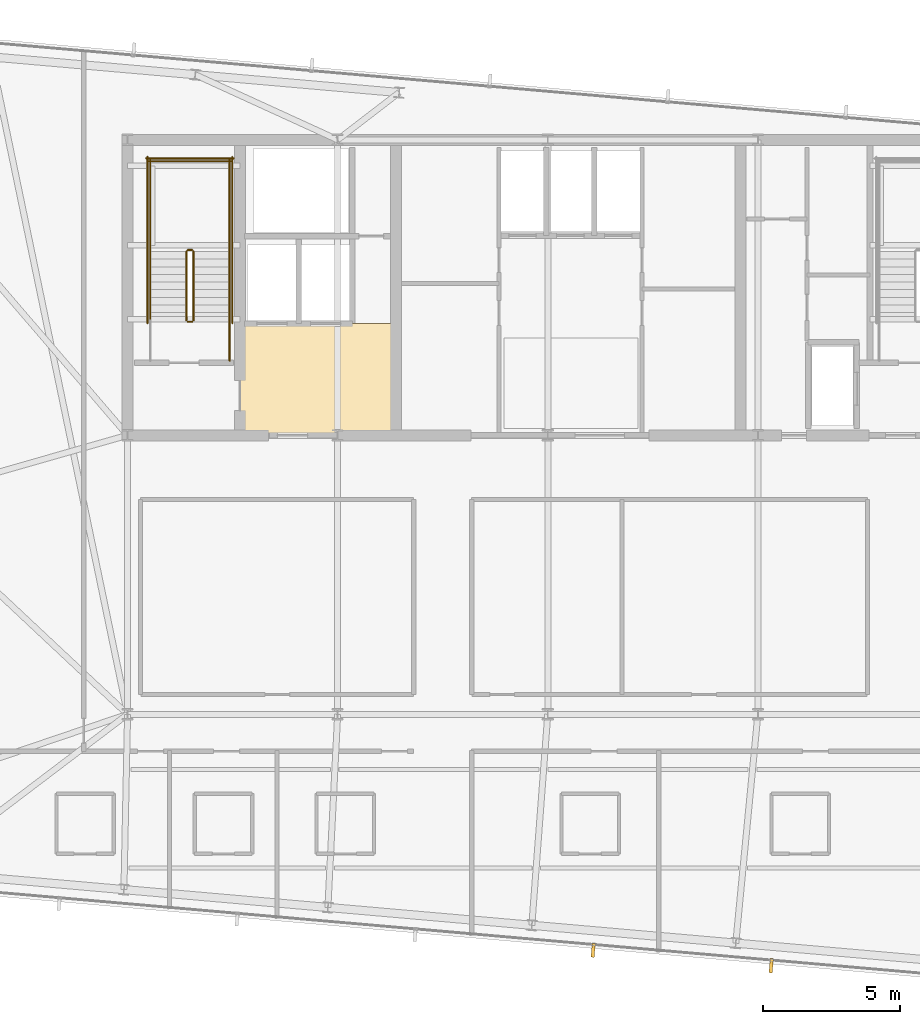
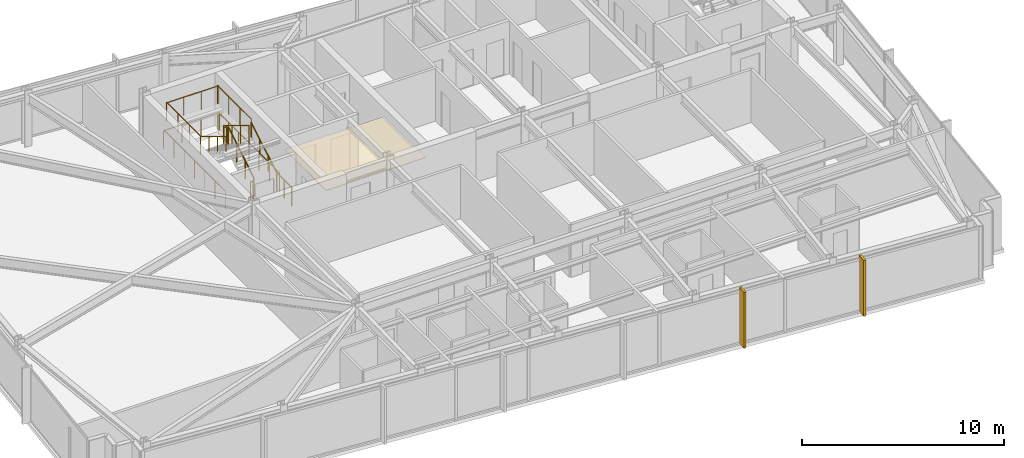
# One storey, part 31 of 33: 13 railings, 2 shading devices, 1 covering.
"""IFC4 building model written with IfcOpenShell, lengths in metres."""

from ifc_helpers import new_model, si_unit, direction, frame, origin, origin_2d, place, context, subcontext, project, spatial, polyline, rectangle, circle, outline, extrude, material, layer, layer_set, type_object, element, save


model = new_model("IFC4")

# Units and contexts
model_context = context("Model", 3, precision=1e-05, world=origin(), true_north=direction((0.0, 1.0)))
body_context = subcontext(model_context, "Body", "Model", "MODEL_VIEW")
ifc_project = project(units=[si_unit("LENGTHUNIT", "METRE"), si_unit("AREAUNIT", "SQUARE_METRE"), si_unit("VOLUMEUNIT", "CUBIC_METRE"), si_unit("PLANEANGLEUNIT", "RADIAN"), si_unit("MASSUNIT", "GRAM", prefix="KILO")], contexts=[model_context])

# Site, building, storey
site_placement = place(None, origin())
site = spatial("IfcSite", under=ifc_project, at=site_placement, CompositionType="ELEMENT")
building_placement = place(site_placement, origin())
building = spatial("IfcBuilding", under=site, at=building_placement, Name="Yelkora Congress Tower", CompositionType="ELEMENT")
storey_placement = place(building_placement, frame((0.0, 0.0, 282.89990234375)))
storey = spatial("IfcBuildingStorey", under=building, at=storey_placement, Name="L79", CompositionType="ELEMENT", Elevation=282.89990234375)

# Covering
ifc_material_1 = material(Name="Perforated mineral-fibre acoustic ceiling", Category="gypsum")
ifc_layer_1 = layer(ifc_material_1, 0.0400390625)
ifc_layer_set_1 = layer_set([ifc_layer_1], Name="Perforated mineral-fibre acoustic ceiling")
covering_type = type_object("IfcCoveringType", Name="COV-CEIL-ACOUSTIC-40", PredefinedType="CEILING", material=ifc_layer_set_1)
covering_placement = place(storey_placement, frame((0.0, 0.0, 2.400146484375)))
element("IfcCovering", 1, at=covering_placement, inside=storey, type_object=covering_type, Name="L79 Firefighting Lobby Acoustic Ceiling", PredefinedType="CEILING", context=body_context, shape_type="SweptSolid", body=[
    extrude(outline(polyline([(27.14990234375, 35.39990234375), (32.85009765625, 35.39990234375), (32.85009765625, 39.47998046875), (27.14990234375, 39.47998046875), (27.14990234375, 35.39990234375)])), origin(), (0.0, 0.0, 1.0), 0.0400390625),
])

# Railings
ifc_material_2 = material(Name="Painted galvanised steel stair well guard with vertical infill", Category="steel")
ifc_layer_2 = layer(ifc_material_2, 0.06005859375)
ifc_layer_set_2 = layer_set([ifc_layer_2], Name="Painted galvanised steel stair well guard with vertical infill")
railing_type_1 = type_object("IfcRailingType", Name="RAIL-STAIR-GUARD-1120", PredefinedType="GUARDRAIL", material=ifc_layer_set_2)
railing_1_placement = place(storey_placement, frame((25.449951171875, 39.60009765625, 0.170166015625)))
element("IfcRailing", 2, at=railing_1_placement, inside=storey, type_object=railing_type_1, Name="ST-01 L79 Stair Well Guardrail 1", PredefinedType="GUARDRAIL", context=body_context, shape_type="SweptSolid", body=[
    extrude(circle(Radius=0.02392578125, at=origin_2d()), frame((0.0, 0.0, 1.09619140625), z_axis=(0.0, 0.85478489116, 0.518982456201), x_axis=(-1.0, 0.0, 0.0)), (0.0, 0.0, 1.0), 2.9482421875),
    extrude(circle(Radius=0.02099609375, at=origin_2d()), origin(), (0.0, 0.0, 1.0), 1.072021484375),
    extrude(circle(Radius=0.02099609375, at=origin_2d()), frame((0.0, 0.840087890625, 0.510009765625)), (0.0, 0.0, 1.0), 1.072021484375),
    extrude(circle(Radius=0.02099609375, at=origin_2d()), frame((0.0, 1.679931640625, 1.02001953125)), (0.0, 0.0, 1.0), 1.072021484375),
    extrude(circle(Radius=0.02099609375, at=origin_2d()), frame((0.0, 2.52001953125, 1.530029296875)), (0.0, 0.0, 1.0), 1.072021484375),
])
railing_2_placement = place(storey_placement, frame((25.39990234375, 42.169921875, 1.7001953125)))
element("IfcRailing", 3, at=railing_2_placement, inside=storey, type_object=railing_type_1, Name="ST-01 L79 Stair Well Guardrail 2", PredefinedType="GUARDRAIL", context=body_context, shape_type="SweptSolid", body=[
    extrude(circle(Radius=0.02392578125, at=origin_2d()), frame((0.0, 0.0, 1.09619140625), z_axis=(-1.0, 0.0, 0.0), x_axis=(0.0, -1.0, 0.0)), (0.0, 0.0, 1.0), 0.159912109375),
    extrude(circle(Radius=0.02099609375, at=origin_2d()), origin(), (0.0, 0.0, 1.0), 1.072021484375),
    extrude(circle(Radius=0.02099609375, at=origin_2d()), frame((-0.159912109375, 0.0, 0.0)), (0.0, 0.0, 1.0), 1.072021484375),
])
for number, where, name in (
    (4, (26.77001953125, 42.1201171875, 1.7001953125), "ST-01 L79 Stair Well Guardrail 3"),
    (5, (23.8701171875, 42.1201171875, 1.7001953125), "ST-01 L79 Stair Well Guardrail 4"),
):
    element("IfcRailing", number, at=place(storey_placement, frame(where)), inside=storey, type_object=railing_type_1, Name=name, PredefinedType="GUARDRAIL", context=body_context, shape_type="SweptSolid", body=[
        extrude(circle(Radius=0.02392578125, at=origin_2d()), frame((0.0, 0.0, 1.09619140625), z_axis=(0.0, 1.0, 0.0), x_axis=(-1.0, 0.0, 0.0)), (0.0, 0.0, 1.0), 3.349853515625),
        extrude(circle(Radius=0.02099609375, at=origin_2d()), origin(), (0.0, 0.0, 1.0), 1.072021484375),
        extrude(circle(Radius=0.02099609375, at=origin_2d()), frame((0.0, 1.11669921875, 0.0)), (0.0, 0.0, 1.0), 1.072021484375),
        extrude(circle(Radius=0.02099609375, at=origin_2d()), frame((0.0, 2.233154296875, 0.0)), (0.0, 0.0, 1.0), 1.072021484375),
        extrude(circle(Radius=0.02099609375, at=origin_2d()), frame((0.0, 3.349853515625, 0.0)), (0.0, 0.0, 1.0), 1.072021484375),
    ])
railing_3_placement = place(storey_placement, frame((26.820068359375, 45.419921875, 1.7001953125)))
element("IfcRailing", 6, at=railing_3_placement, inside=storey, type_object=railing_type_1, Name="ST-01 L79 Stair Well Guardrail 5", PredefinedType="GUARDRAIL", context=body_context, shape_type="SweptSolid", body=[
    extrude(circle(Radius=0.02392578125, at=origin_2d()), frame((0.0, 0.0, 1.09619140625), z_axis=(-1.0, 0.0, 0.0), x_axis=(0.0, -1.0, 0.0)), (0.0, 0.0, 1.0), 3.0),
    extrude(circle(Radius=0.02099609375, at=origin_2d()), origin(), (0.0, 0.0, 1.0), 1.072021484375),
    extrude(circle(Radius=0.02099609375, at=origin_2d()), frame((-1.0, 0.0, 0.0)), (0.0, 0.0, 1.0), 1.072021484375),
    extrude(circle(Radius=0.02099609375, at=origin_2d()), frame((-2.0, 0.0, 0.0)), (0.0, 0.0, 1.0), 1.072021484375),
    extrude(circle(Radius=0.02099609375, at=origin_2d()), frame((-3.0, 0.0, 0.0)), (0.0, 0.0, 1.0), 1.072021484375),
])
railing_4_placement = place(storey_placement, frame((25.18994140625, 42.1201171875, 1.8701171875)))
element("IfcRailing", 7, at=railing_4_placement, inside=storey, type_object=railing_type_1, Name="ST-01 L79 Stair Well Guardrail 6", PredefinedType="GUARDRAIL", context=body_context, shape_type="SweptSolid", body=[
    extrude(circle(Radius=0.02392578125, at=origin_2d()), frame((0.0, 0.0, 1.09619140625), z_axis=(0.0, -0.85478489116, 0.518982456201), x_axis=(1.0, 0.0, 0.0)), (0.0, 0.0, 1.0), 2.9482421875),
    extrude(circle(Radius=0.02099609375, at=origin_2d()), origin(), (0.0, 0.0, 1.0), 1.072021484375),
    extrude(circle(Radius=0.02099609375, at=origin_2d()), frame((0.0, -0.840087890625, 0.510009765625)), (0.0, 0.0, 1.0), 1.072021484375),
    extrude(circle(Radius=0.02099609375, at=origin_2d()), frame((0.0, -1.679931640625, 1.02001953125)), (0.0, 0.0, 1.0), 1.072021484375),
    extrude(circle(Radius=0.02099609375, at=origin_2d()), frame((0.0, -2.52001953125, 1.530029296875)), (0.0, 0.0, 1.0), 1.072021484375),
])
railing_5_placement = place(storey_placement, frame((25.39990234375, 39.550048828125, 0.0)))
element("IfcRailing", 8, at=railing_5_placement, inside=storey, type_object=railing_type_1, Name="ST-01 L79 Stair Well Guardrail 7", PredefinedType="GUARDRAIL", context=body_context, shape_type="SweptSolid", body=[
    extrude(circle(Radius=0.02392578125, at=origin_2d()), frame((0.0, 0.0, 1.09619140625), z_axis=(-1.0, 0.0, 0.0), x_axis=(0.0, -1.0, 0.0)), (0.0, 0.0, 1.0), 0.159912109375),
    extrude(circle(Radius=0.02099609375, at=origin_2d()), origin(), (0.0, 0.0, 1.0), 1.072021484375),
    extrude(circle(Radius=0.02099609375, at=origin_2d()), frame((-0.159912109375, 0.0, 0.0)), (0.0, 0.0, 1.0), 1.072021484375),
])
railing_6_placement = place(storey_placement, frame((26.77001953125, 38.1201171875, 0.0)))
element("IfcRailing", 9, at=railing_6_placement, inside=storey, type_object=railing_type_1, Name="ST-01 L79 Stair Well Guardrail 8", PredefinedType="GUARDRAIL", context=body_context, shape_type="SweptSolid", body=[
    extrude(circle(Radius=0.02392578125, at=origin_2d()), frame((0.0, 0.0, 1.09619140625), z_axis=(0.0, 1.0, 0.0), x_axis=(-1.0, 0.0, 0.0)), (0.0, 0.0, 1.0), 1.47998046875),
    extrude(circle(Radius=0.02099609375, at=origin_2d()), origin(), (0.0, 0.0, 1.0), 1.072021484375),
    extrude(circle(Radius=0.02099609375, at=origin_2d()), frame((0.0, 0.739990234375, 0.0)), (0.0, 0.0, 1.0), 1.072021484375),
    extrude(circle(Radius=0.02099609375, at=origin_2d()), frame((0.0, 1.47998046875, 0.0)), (0.0, 0.0, 1.0), 1.072021484375),
])
for number, where, name in (
    (10, (26.8701171875, 39.5, 0.0), "ST-01 L79 Stair Well Guardrail 10"),
    (11, (23.77001953125, 39.5, 0.0), "ST-01 L79 Stair Well Guardrail 11"),
):
    element("IfcRailing", number, at=place(storey_placement, frame(where)), inside=storey, type_object=railing_type_1, Name=name, PredefinedType="GUARDRAIL", context=body_context, shape_type="SweptSolid", body=[
        extrude(circle(Radius=0.02392578125, at=origin_2d()), frame((0.0, 0.0, 1.09619140625), z_axis=(0.0, 1.0, 0.0), x_axis=(-1.0, 0.0, 0.0)), (0.0, 0.0, 1.0), 6.070068359375),
        extrude(circle(Radius=0.02099609375, at=origin_2d()), origin(), (0.0, 0.0, 1.0), 1.072021484375),
        extrude(circle(Radius=0.02099609375, at=origin_2d()), frame((0.0, 1.01171875, 0.0)), (0.0, 0.0, 1.0), 1.072021484375),
        extrude(circle(Radius=0.02099609375, at=origin_2d()), frame((0.0, 2.0234375, 0.0)), (0.0, 0.0, 1.0), 1.072021484375),
        extrude(circle(Radius=0.02099609375, at=origin_2d()), frame((0.0, 3.03515625, 0.0)), (0.0, 0.0, 1.0), 1.072021484375),
        extrude(circle(Radius=0.02099609375, at=origin_2d()), frame((0.0, 4.046630859375, 0.0)), (0.0, 0.0, 1.0), 1.072021484375),
        extrude(circle(Radius=0.02099609375, at=origin_2d()), frame((0.0, 5.058349609375, 0.0)), (0.0, 0.0, 1.0), 1.072021484375),
        extrude(circle(Radius=0.02099609375, at=origin_2d()), frame((0.0, 6.070068359375, 0.0)), (0.0, 0.0, 1.0), 1.072021484375),
    ])
railing_7_placement = place(storey_placement, frame((26.919921875, 45.52001953125, 0.0)))
element("IfcRailing", 12, at=railing_7_placement, inside=storey, type_object=railing_type_1, Name="ST-01 L79 Stair Well Guardrail 12", PredefinedType="GUARDRAIL", context=body_context, shape_type="SweptSolid", body=[
    extrude(circle(Radius=0.02392578125, at=origin_2d()), frame((0.0, 0.0, 1.09619140625), z_axis=(-1.0, 0.0, 0.0), x_axis=(0.0, -1.0, 0.0)), (0.0, 0.0, 1.0), 3.199951171875),
    extrude(circle(Radius=0.02099609375, at=origin_2d()), origin(), (0.0, 0.0, 1.0), 1.072021484375),
    extrude(circle(Radius=0.02099609375, at=origin_2d()), frame((-1.066650390625, 0.0, 0.0)), (0.0, 0.0, 1.0), 1.072021484375),
    extrude(circle(Radius=0.02099609375, at=origin_2d()), frame((-2.13330078125, 0.0, 0.0)), (0.0, 0.0, 1.0), 1.072021484375),
    extrude(circle(Radius=0.02099609375, at=origin_2d()), frame((-3.199951171875, 0.0, 0.0)), (0.0, 0.0, 1.0), 1.072021484375),
])
ifc_material_3 = material(Name="Brushed stainless steel tubular handrail", Category="steel")
ifc_layer_3 = layer(ifc_material_3, 0.050048828125)
ifc_layer_set_3 = layer_set([ifc_layer_3], Name="Brushed stainless steel tubular handrail")
railing_type_2 = type_object("IfcRailingType", Name="RAIL-STAIR-HAND-920", PredefinedType="HANDRAIL", material=ifc_layer_set_3)
railing_8_placement = place(storey_placement, frame((26.77001953125, 39.60009765625, 0.170166015625)))
element("IfcRailing", 13, at=railing_8_placement, inside=storey, type_object=railing_type_2, Name="ST-01 L79 Pitch Handrail 1", PredefinedType="HANDRAIL", context=body_context, shape_type="SweptSolid", body=[
    extrude(circle(Radius=0.02392578125, at=origin_2d()), frame((0.0, 0.0, 0.89599609375), z_axis=(0.0, 0.85478489116, 0.518982456201), x_axis=(-1.0, 0.0, 0.0)), (0.0, 0.0, 1.0), 2.9482421875),
    extrude(circle(Radius=0.02099609375, at=origin_2d()), origin(), (0.0, 0.0, 1.0), 0.871826171875),
    extrude(circle(Radius=0.02099609375, at=origin_2d()), frame((0.0, 0.840087890625, 0.510009765625)), (0.0, 0.0, 1.0), 0.871826171875),
    extrude(circle(Radius=0.02099609375, at=origin_2d()), frame((0.0, 1.679931640625, 1.02001953125)), (0.0, 0.0, 1.0), 0.871826171875),
    extrude(circle(Radius=0.02099609375, at=origin_2d()), frame((0.0, 2.52001953125, 1.530029296875)), (0.0, 0.0, 1.0), 0.871826171875),
])
railing_9_placement = place(storey_placement, frame((23.8701171875, 42.1201171875, 1.8701171875)))
element("IfcRailing", 14, at=railing_9_placement, inside=storey, type_object=railing_type_2, Name="ST-01 L79 Pitch Handrail 2", PredefinedType="HANDRAIL", context=body_context, shape_type="SweptSolid", body=[
    extrude(circle(Radius=0.02392578125, at=origin_2d()), frame((0.0, 0.0, 0.89599609375), z_axis=(0.0, -0.85478489116, 0.518982456201), x_axis=(1.0, 0.0, 0.0)), (0.0, 0.0, 1.0), 2.9482421875),
    extrude(circle(Radius=0.02099609375, at=origin_2d()), origin(), (0.0, 0.0, 1.0), 0.871826171875),
    extrude(circle(Radius=0.02099609375, at=origin_2d()), frame((0.0, -0.840087890625, 0.510009765625)), (0.0, 0.0, 1.0), 0.871826171875),
    extrude(circle(Radius=0.02099609375, at=origin_2d()), frame((0.0, -1.679931640625, 1.02001953125)), (0.0, 0.0, 1.0), 0.871826171875),
    extrude(circle(Radius=0.02099609375, at=origin_2d()), frame((0.0, -2.52001953125, 1.530029296875)), (0.0, 0.0, 1.0), 0.871826171875),
])

# Shading devices
ifc_material_4 = material(Name="Champagne anodised aluminium", Category="aluminium")
ifc_layer_4 = layer(ifc_material_4, 3.300048828125)
ifc_layer_set_4 = layer_set([ifc_layer_4], Name="Champagne anodised aluminium")
shading_device_type = type_object("IfcShadingDeviceType", Name="SHD-FIN-ALU-520", PredefinedType="USERDEFINED", material=ifc_layer_set_4)
for number, where, z_axis, x_axis, name in (
    (15, (46.567138671875, 16.0107421875, -0.02978515625), (0.0, 0.0, 1.0), (-0.996194698092, 0.087155742748, 0.0), "L79 Vertical Anodised Solar Fin 20-1"),
    (16, (40.060546875, 16.579833984375, -0.02978515625), (0.0, 0.0, 1.0), (-0.996194698092, 0.087155742748, 0.0), "L79 Vertical Anodised Solar Fin 20-2"),
):
    element("IfcShadingDevice", number, at=place(storey_placement, frame(where, z_axis=z_axis, x_axis=x_axis)), inside=storey, type_object=shading_device_type, Name=name, ObjectType="FIN", PredefinedType="USERDEFINED", context=body_context, shape_type="SweptSolid", body=[
        extrude(rectangle(XDim=0.1201171875, YDim=0.52001953125, at=origin_2d()), origin(), (0.0, 0.0, 1.0), 3.3798828125),
    ])

save(model, "model.ifc")
